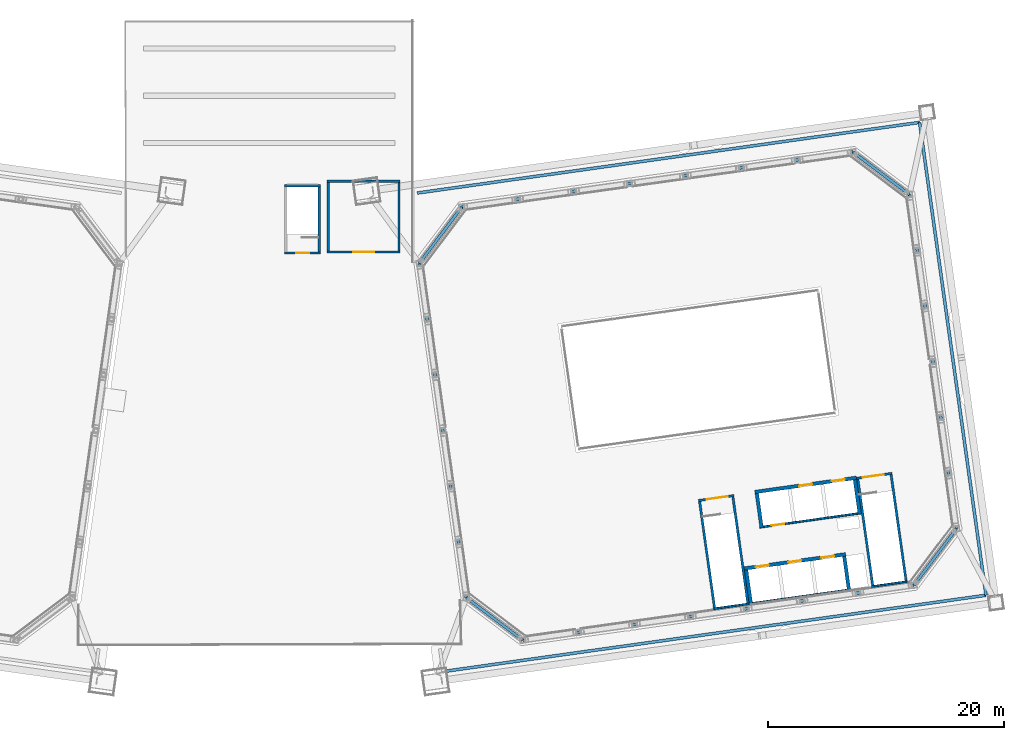
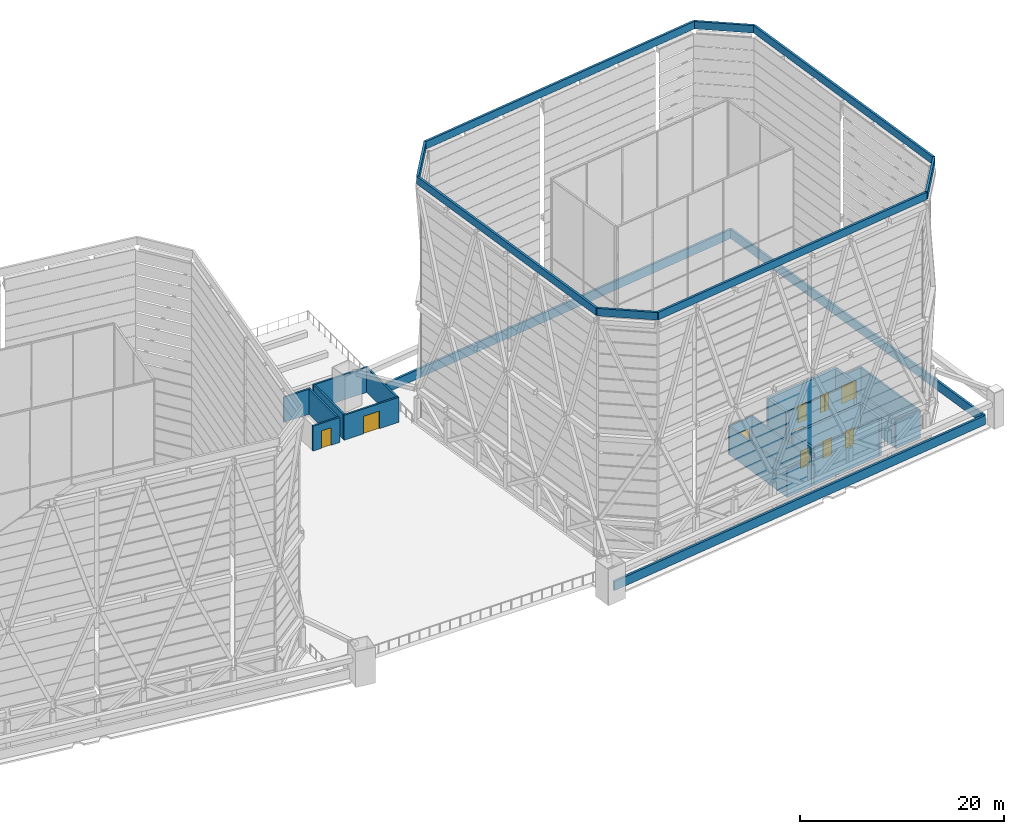
# One storey, part 21 of 45: 34 walls, 10 doors, 10 openings.
"""IFC4 building model written with IfcOpenShell, lengths in metres."""

import ifcopenshell
import ifcopenshell.guid

model = None  # the IFC model being written
_history = None  # IfcOwnerHistory: only IFC2X3 demands one
_inside = {}  # id of a spatial element -> (the spatial element, [elements in it])
_under = {}  # id of a project, library or spatial element -> (it, [spatial elements below it])
_declared = {}  # id of a project -> (the project, [libraries it declares])
_typed = {}  # id of a type object -> (the type object, [elements of that type])
_made_of = {}  # id of a material, layer set ... -> (it, [elements and type objects made of it])


def new_model(schema):
    """Start an empty IFC model of exactly this schema.

    Asked for "IFC4X3", IfcOpenShell would pick the latest addendum, in which some entities
    have other attributes; the version numbers below select the first issue.
    IFC2X3 requires an IfcOwnerHistory on every rooted entity: one is made here for all.
    """
    global model, _history
    if schema == "IFC4X3":
        model = ifcopenshell.file(schema_version=(4, 3, 0, 0))
    else:
        model = ifcopenshell.file(schema=schema)
    _inside.clear()
    _under.clear()
    _declared.clear()
    _typed.clear()
    _made_of.clear()
    _history = None
    if model.schema == "IFC2X3":
        org = make("IfcOrganization", Name="unknown")
        user = make(
            "IfcPersonAndOrganization",
            ThePerson=make("IfcPerson", FamilyName="unknown"),
            TheOrganization=org,
        )
        app = make(
            "IfcApplication",
            ApplicationDeveloper=org,
            Version="unknown",
            ApplicationFullName="unknown",
            ApplicationIdentifier="unknown",
        )
        _history = make(
            "IfcOwnerHistory",
            OwningUser=user,
            OwningApplication=app,
            ChangeAction="ADDED",
            CreationDate=0,
        )
    return model


def make(cls, **values):
    """One entity of the class cls with the attributes given. An attribute that is None is left unset."""
    return model.create_entity(
        cls, **{name: value for name, value in values.items() if value is not None}
    )


def rooted(cls, **values):
    """An entity with a GlobalId (a new one), such as an element, a storey or a relation."""
    return make(cls, GlobalId=ifcopenshell.guid.new(), OwnerHistory=_history, **values)


def si_unit(unit_type, name, prefix=None):
    """IfcSIUnit, for example si_unit("LENGTHUNIT", "METRE", prefix="MILLI")."""
    return make("IfcSIUnit", UnitType=unit_type, Prefix=prefix, Name=name)


def assignment(units):
    """IfcUnitAssignment: the units of a project."""
    return None if units is None else make("IfcUnitAssignment", Units=units)


def point(xyz):
    """IfcCartesianPoint."""
    return None if xyz is None else make("IfcCartesianPoint", Coordinates=xyz)


def direction(xyz):
    """IfcDirection."""
    return None if xyz is None else make("IfcDirection", DirectionRatios=xyz)


def frame(location, z_axis=None, x_axis=None):
    """IfcAxis2Placement3D, a coordinate frame: its origin and axes. An axis left out is left unset."""
    return make(
        "IfcAxis2Placement3D",
        Location=point(location),
        Axis=direction(z_axis),
        RefDirection=direction(x_axis),
    )


def frame_2d(location, x_axis=None):
    """IfcAxis2Placement2D, a coordinate frame in the plane: its origin and x axis."""
    return make(
        "IfcAxis2Placement2D", Location=point(location), RefDirection=direction(x_axis)
    )


def origin():
    """The frame at (0, 0, 0) with its axes left unset."""
    return frame((0.0, 0.0, 0.0))


def place(relative_to, where):
    """IfcLocalPlacement: puts the frame where relative to a parent placement (None: the world)."""
    return make(
        "IfcLocalPlacement", PlacementRelTo=relative_to, RelativePlacement=where
    )


def context(
    kind, dimensions, precision=None, world=None, true_north=None, identifier=None
):
    """IfcGeometricRepresentationContext, for example the 3D "Model" context."""
    return make(
        "IfcGeometricRepresentationContext",
        ContextIdentifier=identifier,
        ContextType=kind,
        CoordinateSpaceDimension=dimensions,
        Precision=precision,
        WorldCoordinateSystem=world,
        TrueNorth=true_north,
    )


def subcontext(parent, identifier, kind, view, scale=None):
    """IfcGeometricRepresentationSubContext, for example "Body" below "Model"."""
    return make(
        "IfcGeometricRepresentationSubContext",
        ContextIdentifier=identifier,
        ContextType=kind,
        ParentContext=parent,
        TargetScale=scale,
        TargetView=view,
    )


def project(units=None, contexts=None):
    """IfcProject with its units and contexts."""
    return rooted(
        "IfcProject",
        Name="project",
        RepresentationContexts=contexts,
        UnitsInContext=assignment(units),
    )


def spatial(cls, under=None, at=None, **own):
    """A site, building, storey or space (cls), placed at a placement, below another one or the project."""
    s = rooted(cls, ObjectPlacement=at, **own)
    if under is not None:
        _under.setdefault(under.id(), (under, []))[1].append(s)
    return s


def profile(cls, at=None, kind="AREA", **sizes):
    """A parametric profile (cls). Its sizes go by their IFC names, for example OverallWidth=200.0."""
    return make(cls, ProfileType=kind, Position=at, **sizes)


def rectangle(**sizes):
    """IfcRectangleProfileDef."""
    return profile("IfcRectangleProfileDef", **sizes)


def extrude(swept, where, along, depth):
    """IfcExtrudedAreaSolid: the profile swept, set in the frame where, extruded along a direction by depth."""
    return make(
        "IfcExtrudedAreaSolid",
        SweptArea=swept,
        Position=where,
        ExtrudedDirection=direction(along),
        Depth=depth,
    )


def shape(context_of_items, identifier, shape_type, items):
    """IfcShapeRepresentation: the items that make up one representation, for example the "Body"."""
    return make(
        "IfcShapeRepresentation",
        ContextOfItems=context_of_items,
        RepresentationIdentifier=identifier,
        RepresentationType=shape_type,
        Items=items,
    )


def material(Name=None, Category=None):
    """IfcMaterial."""
    return make("IfcMaterial", Name=Name, Category=Category)


def layer(
    of_material, thickness, ventilated=None, Name=None, Category=None, Priority=None
):
    """IfcMaterialLayer: one layer of a wall or slab, of a material (None: an air gap)."""
    return make(
        "IfcMaterialLayer",
        Material=of_material,
        LayerThickness=thickness,
        IsVentilated=ventilated,
        Name=Name,
        Category=Category,
        Priority=Priority,
    )


def layer_set(layers, Name=None):
    """IfcMaterialLayerSet."""
    return make("IfcMaterialLayerSet", MaterialLayers=layers, LayerSetName=Name)


def made_of(thing, what):
    """Note that an element or type object is made of a material, layer set ...; save() writes the relation."""
    if what is not None:
        _made_of.setdefault(what.id(), (what, []))[1].append(thing)
    return thing


def type_object(cls, material=None, **own):
    """A type object (cls), such as IfcWallType, which elements share."""
    return made_of(rooted(cls, **own), material)


def element(
    cls,
    number,
    at=None,
    inside=None,
    cuts=None,
    type_object=None,
    material=None,
    context=None,
    identifier="Body",
    shape_type=None,
    held_by="IfcProductDefinitionShape",
    body=None,
    shapes=None,
    **own,
):
    """One element of the class cls, such as IfcWall. Its Tag is "e" and its number.

    at: its placement. inside: the storey or other place that contains it. cuts: it is an
    opening in that element (IfcRelVoidsElement). A single representation is given by context,
    identifier, shape_type and body (its items); several are given by shapes. held_by: the class
    of the entity that holds the representations. save() writes the other relations.
    """
    e = rooted(cls, Tag="e%d" % number, ObjectPlacement=at, **own)
    if body is not None:
        shapes = [shape(context, identifier, shape_type, body)]
    if shapes is not None:
        e.Representation = make(held_by, Representations=shapes)
    if inside is not None:
        _inside.setdefault(inside.id(), (inside, []))[1].append(e)
    if cuts is not None:
        rooted(
            "IfcRelVoidsElement", RelatingBuildingElement=cuts, RelatedOpeningElement=e
        )
    if type_object is not None:
        _typed.setdefault(type_object.id(), (type_object, []))[1].append(e)
    return made_of(e, material)


def fill(opening, filler):
    """IfcRelFillsElement: the door or window that sits in an opening."""
    return rooted(
        "IfcRelFillsElement",
        RelatingOpeningElement=opening,
        RelatedBuildingElement=filler,
    )


def aggregate(whole, parts):
    """IfcRelAggregates: a whole, such as a stair, and the parts it consists of."""
    return rooted("IfcRelAggregates", RelatingObject=whole, RelatedObjects=parts)


def save(model, path):
    """Write the relations noted so far, then the file.

    IfcRelAggregates (storeys below a building ...), IfcRelContainedInSpatialStructure (elements
    in a storey), IfcRelDefinesByType, IfcRelAssociatesMaterial and IfcRelDeclares: one each for
    every whole, place, type object, material and project.
    """
    for whole, parts in _under.values():
        aggregate(whole, parts)
    for where, things in _inside.values():
        rooted(
            "IfcRelContainedInSpatialStructure",
            RelatedElements=things,
            RelatingStructure=where,
        )
    for kind, things in _typed.values():
        rooted("IfcRelDefinesByType", RelatedObjects=things, RelatingType=kind)
    for what, things in _made_of.values():
        rooted("IfcRelAssociatesMaterial", RelatedObjects=things, RelatingMaterial=what)
    for by, libraries in _declared.values():
        rooted("IfcRelDeclares", RelatingContext=by, RelatedDefinitions=libraries)
    model.write(path)


model = new_model("IFC4")

# Units and contexts
model_context = context("Model", 3, precision=1e-05, world=origin(), true_north=direction((0.0, 1.0)))
body_context = subcontext(model_context, "Body", "Model", "MODEL_VIEW")
ifc_project = project(units=[si_unit("LENGTHUNIT", "METRE"), si_unit("AREAUNIT", "SQUARE_METRE"), si_unit("VOLUMEUNIT", "CUBIC_METRE"), si_unit("PLANEANGLEUNIT", "RADIAN"), si_unit("MASSUNIT", "GRAM", prefix="KILO")], contexts=[model_context])

# Site, building, storey
site_placement = place(None, origin())
site = spatial("IfcSite", under=ifc_project, at=site_placement, CompositionType="ELEMENT")
building_placement = place(site_placement, origin())
building = spatial("IfcBuilding", under=site, at=building_placement, Name="Mirante Cascada Hotel Towers", CompositionType="ELEMENT")
storey_placement = place(building_placement, frame((0.0, 0.0, 269.8)))
storey = spatial("IfcBuildingStorey", under=building, at=storey_placement, Name="Roof garden", CompositionType="ELEMENT", Elevation=269.8)

# Wall
ifc_material_1 = material(Name="Concrete C50/60", Category="concrete")
ifc_layer_1 = layer(ifc_material_1, 0.15)
ifc_layer_set_1 = layer_set([ifc_layer_1], Name="Lift overrun wall 150 RC C50/60")
wall_type_1 = type_object("IfcWallType", Name="Lift overrun wall 150 RC C50/60", PredefinedType="SHEAR", material=ifc_layer_set_1)
wall_1_placement = place(storey_placement, frame((40.6992, -18.8499, 0.0), z_axis=(0.0, 0.0, 1.0), x_axis=(0.9902681, 0.1391729, 0.0)))
element("IfcWall", 1, at=wall_1_placement, inside=storey, type_object=wall_type_1, Name="Lift overrun wall T2 R1", PredefinedType="SHEAR", context=body_context, shape_type="SweptSolid", body=[
    extrude(rectangle(XDim=8.7, YDim=0.15, at=frame_2d((4.35, 0.0))), origin(), (0.0, 0.0, 1.0), 4.6),
])

# Wall, opening, door
wall_2_placement = place(storey_placement, frame((41.6049, -12.3607, 0.0), z_axis=(0.0, 0.0, 1.0), x_axis=(0.9902681, 0.1391729, 0.0)))
wall_2 = element("IfcWall", 2, at=wall_2_placement, inside=storey, type_object=wall_type_1, Name="Lift overrun wall T2 F1", PredefinedType="SHEAR", context=body_context, shape_type="SweptSolid", body=[
    extrude(rectangle(XDim=8.7, YDim=0.15, at=frame_2d((4.35, 0.0))), origin(), (0.0, 0.0, 1.0), 4.6),
])
opening_1_placement = place(wall_2_placement, frame((1.0, 0.0, 0.0)))
opening_1 = element("IfcOpeningElement", 3, at=opening_1_placement, cuts=wall_2, Name="Opening LD", PredefinedType="OPENING", context=body_context, shape_type="SweptSolid", body=[
    extrude(rectangle(XDim=1.1, YDim=2.1, at=frame_2d((0.55, 1.05))), frame((0.0, 0.075, 0.0), z_axis=(0.0, -1.0, 0.0), x_axis=(1.0, 0.0, 0.0)), (0.0, 0.0, 1.0), 0.15),
])
ifc_material_2 = material(Name="Stainless steel", Category="steel")
door_type_1 = type_object("IfcDoorType", Name="Lift landing door 1100x2100 EI 120", OperationType="DOUBLE_DOOR_SLIDING", PredefinedType="DOOR", material=ifc_material_2)
door_1_placement = place(opening_1_placement, origin())
door_1 = element("IfcDoor", 4, at=door_1_placement, inside=storey, type_object=door_type_1, Name="Lift landing door HR2-4 Roof", OperationType="DOUBLE_DOOR_SLIDING", OverallHeight=2.1, OverallWidth=1.1, PredefinedType="DOOR", context=body_context, shape_type="SweptSolid", body=[
    extrude(rectangle(XDim=0.545, YDim=2.1, at=frame_2d((0.2725, 1.05))), frame((0.0, 0.025, 0.0), z_axis=(0.0, -1.0, 0.0), x_axis=(1.0, 0.0, 0.0)), (0.0, 0.0, 1.0), 0.05),
    extrude(rectangle(XDim=0.545, YDim=2.1, at=frame_2d((0.8275, 1.05))), frame((0.0, 0.025, 0.0), z_axis=(0.0, -1.0, 0.0), x_axis=(1.0, 0.0, 0.0)), (0.0, 0.0, 1.0), 0.05),
])
fill(opening_1, door_1)

# Wall, openings, doors
ifc_material_3 = material(Name="Concrete C50/60", Category="concrete")
ifc_layer_2 = layer(ifc_material_3, 0.3)
ifc_layer_set_2 = layer_set([ifc_layer_2], Name="Lift overrun wall 300 RC C50/60")
wall_type_2 = type_object("IfcWallType", Name="Lift overrun wall 300 RC C50/60", PredefinedType="SHEAR", material=ifc_layer_set_2)
wall_3_placement = place(storey_placement, frame((40.2782, -15.8544, 0.0), z_axis=(0.0, 0.0, 1.0), x_axis=(0.9902681, 0.1391729, 0.0)))
wall_3 = element("IfcWall", 5, at=wall_3_placement, inside=storey, type_object=wall_type_2, Name="Lift overrun wall T2 R2", PredefinedType="SHEAR", context=body_context, shape_type="SweptSolid", body=[
    extrude(rectangle(XDim=8.7, YDim=0.3, at=frame_2d((4.35, 0.0))), origin(), (0.0, 0.0, 1.0), 4.6),
])
opening_2_placement = place(wall_3_placement, frame((1.0, 0.0, 0.0)))
opening_2 = element("IfcOpeningElement", 6, at=opening_2_placement, cuts=wall_3, Name="Opening LD", PredefinedType="OPENING", context=body_context, shape_type="SweptSolid", body=[
    extrude(rectangle(XDim=1.1, YDim=2.1, at=frame_2d((0.55, 1.05))), frame((0.0, 0.15, 0.0), z_axis=(0.0, -1.0, 0.0), x_axis=(1.0, 0.0, 0.0)), (0.0, 0.0, 1.0), 0.3),
])
opening_3_placement = place(wall_3_placement, frame((3.8, 0.0, 0.0)))
opening_3 = element("IfcOpeningElement", 7, at=opening_3_placement, cuts=wall_3, Name="Opening LD", PredefinedType="OPENING", context=body_context, shape_type="SweptSolid", body=[
    extrude(rectangle(XDim=1.1, YDim=2.1, at=frame_2d((0.55, 1.05))), frame((0.0, 0.15, 0.0), z_axis=(0.0, -1.0, 0.0), x_axis=(1.0, 0.0, 0.0)), (0.0, 0.0, 1.0), 0.3),
])
opening_4_placement = place(wall_3_placement, frame((6.6, 0.0, 0.0)))
opening_4 = element("IfcOpeningElement", 8, at=opening_4_placement, cuts=wall_3, Name="Opening LD", PredefinedType="OPENING", context=body_context, shape_type="SweptSolid", body=[
    extrude(rectangle(XDim=1.1, YDim=2.1, at=frame_2d((0.55, 1.05))), frame((0.0, 0.15, 0.0), z_axis=(0.0, -1.0, 0.0), x_axis=(1.0, 0.0, 0.0)), (0.0, 0.0, 1.0), 0.3),
])
door_2_placement = place(opening_2_placement, origin())
door_2 = element("IfcDoor", 9, at=door_2_placement, inside=storey, type_object=door_type_1, Name="Lift landing door HR2-1 Roof", OperationType="DOUBLE_DOOR_SLIDING", OverallHeight=2.1, OverallWidth=1.1, PredefinedType="DOOR", context=body_context, shape_type="SweptSolid", body=[
    extrude(rectangle(XDim=0.545, YDim=2.1, at=frame_2d((0.2725, 1.05))), frame((0.0, 0.025, 0.0), z_axis=(0.0, -1.0, 0.0), x_axis=(1.0, 0.0, 0.0)), (0.0, 0.0, 1.0), 0.05),
    extrude(rectangle(XDim=0.545, YDim=2.1, at=frame_2d((0.8275, 1.05))), frame((0.0, 0.025, 0.0), z_axis=(0.0, -1.0, 0.0), x_axis=(1.0, 0.0, 0.0)), (0.0, 0.0, 1.0), 0.05),
])
fill(opening_2, door_2)
door_3_placement = place(opening_3_placement, origin())
door_3 = element("IfcDoor", 10, at=door_3_placement, inside=storey, type_object=door_type_1, Name="Lift landing door HR2-2 Roof", OperationType="DOUBLE_DOOR_SLIDING", OverallHeight=2.1, OverallWidth=1.1, PredefinedType="DOOR", context=body_context, shape_type="SweptSolid", body=[
    extrude(rectangle(XDim=0.545, YDim=2.1, at=frame_2d((0.2725, 1.05))), frame((0.0, 0.025, 0.0), z_axis=(0.0, -1.0, 0.0), x_axis=(1.0, 0.0, 0.0)), (0.0, 0.0, 1.0), 0.05),
    extrude(rectangle(XDim=0.545, YDim=2.1, at=frame_2d((0.8275, 1.05))), frame((0.0, 0.025, 0.0), z_axis=(0.0, -1.0, 0.0), x_axis=(1.0, 0.0, 0.0)), (0.0, 0.0, 1.0), 0.05),
])
fill(opening_3, door_3)
door_4_placement = place(opening_4_placement, origin())
door_4 = element("IfcDoor", 11, at=door_4_placement, inside=storey, type_object=door_type_1, Name="Lift landing door HR2-3 Roof", OperationType="DOUBLE_DOOR_SLIDING", OverallHeight=2.1, OverallWidth=1.1, PredefinedType="DOOR", context=body_context, shape_type="SweptSolid", body=[
    extrude(rectangle(XDim=0.545, YDim=2.1, at=frame_2d((0.2725, 1.05))), frame((0.0, 0.025, 0.0), z_axis=(0.0, -1.0, 0.0), x_axis=(1.0, 0.0, 0.0)), (0.0, 0.0, 1.0), 0.05),
    extrude(rectangle(XDim=0.545, YDim=2.1, at=frame_2d((0.8275, 1.05))), frame((0.0, 0.025, 0.0), z_axis=(0.0, -1.0, 0.0), x_axis=(1.0, 0.0, 0.0)), (0.0, 0.0, 1.0), 0.05),
])
fill(opening_4, door_4)

# Walls
for number, where, z_axis, x_axis, name in (
    (12, (40.8582, -18.9033, 0.0), (0.0, 0.0, 1.0), (-0.1391858, 0.9902663, 0.0), "Lift overrun wall T2 R3"),
    (13, (49.1764, -17.7343, 0.0), (0.0, 0.0, 1.0), (-0.1391525, 0.990271, 0.0), "Lift overrun wall T2 R4"),
):
    element("IfcWall", number, at=place(storey_placement, frame(where, z_axis=z_axis, x_axis=x_axis)), inside=storey, type_object=wall_type_2, Name=name, PredefinedType="SHEAR", context=body_context, shape_type="SweptSolid", body=[
        extrude(rectangle(XDim=2.95, YDim=0.3, at=frame_2d((1.475, 0.0))), origin(), (0.0, 0.0, 1.0), 4.6),
    ])

# Wall, openings, doors
wall_4_placement = place(storey_placement, frame((41.1839, -9.3652, 0.0), z_axis=(0.0, 0.0, 1.0), x_axis=(0.9902681, 0.1391729, 0.0)))
wall_4 = element("IfcWall", 14, at=wall_4_placement, inside=storey, type_object=wall_type_2, Name="Lift overrun wall T2 F2", PredefinedType="SHEAR", context=body_context, shape_type="SweptSolid", body=[
    extrude(rectangle(XDim=8.7, YDim=0.3, at=frame_2d((4.35, 0.0))), origin(), (0.0, 0.0, 1.0), 4.6),
])
opening_5_placement = place(wall_4_placement, frame((3.8, 0.0, 0.0)))
opening_5 = element("IfcOpeningElement", 15, at=opening_5_placement, cuts=wall_4, Name="Opening LD", PredefinedType="OPENING", context=body_context, shape_type="SweptSolid", body=[
    extrude(rectangle(XDim=1.1, YDim=2.1, at=frame_2d((0.55, 1.05))), frame((0.0, 0.15, 0.0), z_axis=(0.0, -1.0, 0.0), x_axis=(1.0, 0.0, 0.0)), (0.0, 0.0, 1.0), 0.3),
])
opening_6_placement = place(wall_4_placement, frame((6.6, 0.0, 0.0)))
opening_6 = element("IfcOpeningElement", 16, at=opening_6_placement, cuts=wall_4, Name="Opening LD", PredefinedType="OPENING", context=body_context, shape_type="SweptSolid", body=[
    extrude(rectangle(XDim=1.1, YDim=2.1, at=frame_2d((0.55, 1.05))), frame((0.0, 0.15, 0.0), z_axis=(0.0, -1.0, 0.0), x_axis=(1.0, 0.0, 0.0)), (0.0, 0.0, 1.0), 0.3),
])
door_5_placement = place(opening_5_placement, origin())
door_5 = element("IfcDoor", 17, at=door_5_placement, inside=storey, type_object=door_type_1, Name="Lift landing door FF3 Roof", OperationType="DOUBLE_DOOR_SLIDING", OverallHeight=2.1, OverallWidth=1.1, PredefinedType="DOOR", context=body_context, shape_type="SweptSolid", body=[
    extrude(rectangle(XDim=0.545, YDim=2.1, at=frame_2d((0.2725, 1.05))), frame((0.0, 0.025, 0.0), z_axis=(0.0, -1.0, 0.0), x_axis=(1.0, 0.0, 0.0)), (0.0, 0.0, 1.0), 0.05),
    extrude(rectangle(XDim=0.545, YDim=2.1, at=frame_2d((0.8275, 1.05))), frame((0.0, 0.025, 0.0), z_axis=(0.0, -1.0, 0.0), x_axis=(1.0, 0.0, 0.0)), (0.0, 0.0, 1.0), 0.05),
])
fill(opening_5, door_5)
door_6_placement = place(opening_6_placement, origin())
door_6 = element("IfcDoor", 18, at=door_6_placement, inside=storey, type_object=door_type_1, Name="Lift landing door FF4 Roof", OperationType="DOUBLE_DOOR_SLIDING", OverallHeight=2.1, OverallWidth=1.1, PredefinedType="DOOR", context=body_context, shape_type="SweptSolid", body=[
    extrude(rectangle(XDim=0.545, YDim=2.1, at=frame_2d((0.2725, 1.05))), frame((0.0, 0.025, 0.0), z_axis=(0.0, -1.0, 0.0), x_axis=(1.0, 0.0, 0.0)), (0.0, 0.0, 1.0), 0.05),
    extrude(rectangle(XDim=0.545, YDim=2.1, at=frame_2d((0.8275, 1.05))), frame((0.0, 0.025, 0.0), z_axis=(0.0, -1.0, 0.0), x_axis=(1.0, 0.0, 0.0)), (0.0, 0.0, 1.0), 0.05),
])
fill(opening_6, door_6)

# Walls
for number, where, z_axis, x_axis, name in (
    (19, (41.7639, -12.4141, 0.0), (0.0, 0.0, 1.0), (-0.1391858, 0.9902663, 0.0), "Lift overrun wall T2 F3"),
    (20, (50.0821, -11.2451, 0.0), (0.0, 0.0, 1.0), (-0.1391858, 0.9902663, 0.0), "Lift overrun wall T2 F4"),
):
    element("IfcWall", number, at=place(storey_placement, frame(where, z_axis=z_axis, x_axis=x_axis)), inside=storey, type_object=wall_type_2, Name=name, PredefinedType="SHEAR", context=body_context, shape_type="SweptSolid", body=[
        extrude(rectangle(XDim=2.95, YDim=0.3, at=frame_2d((1.475, 0.0))), origin(), (0.0, 0.0, 1.0), 4.6),
    ])

# Wall, opening, door
ifc_material_4 = material(Name="Precast concrete C40/50", Category="concrete")
ifc_layer_3 = layer(ifc_material_4, 0.2)
ifc_layer_set_3 = layer_set([ifc_layer_3], Name="Precast concrete C40/50 head-house wall 200 EI 120")
wall_type_3 = type_object("IfcWallType", Name="Precast concrete C40/50 head-house wall 200 EI 120", PredefinedType="STANDARD", material=ifc_layer_set_3)
wall_5_placement = place(storey_placement, frame((1.3, 10.91, 0.0), z_axis=(0.0, 0.0, 1.0), x_axis=(1.0, 0.0, 0.0)))
wall_5 = element("IfcWall", 21, at=wall_5_placement, inside=storey, type_object=wall_type_3, Name="Stair head-house wall south", PredefinedType="STANDARD", context=body_context, shape_type="SweptSolid", body=[
    extrude(rectangle(XDim=3.05, YDim=0.2, at=frame_2d((1.525, 0.0))), origin(), (0.0, 0.0, 1.0), 3.0),
])
opening_7_placement = place(wall_5_placement, frame((0.975, 0.0, 0.0)))
opening_7 = element("IfcOpeningElement", 22, at=opening_7_placement, cuts=wall_5, Name="Opening DD-ROOF-01", PredefinedType="OPENING", context=body_context, shape_type="SweptSolid", body=[
    extrude(rectangle(XDim=1.1, YDim=2.1, at=frame_2d((0.55, 1.05))), frame((0.0, 0.1, 0.0), z_axis=(0.0, -1.0, 0.0), x_axis=(1.0, 0.0, 0.0)), (0.0, 0.0, 1.0), 0.2),
])
ifc_material_5 = material(Name="Steel fire door leaf with glazed vision panel", Category="steel")
door_type_2 = type_object("IfcDoorType", Name="Stair door 1100x2100 FD60", OperationType="SINGLE_SWING_LEFT", PredefinedType="DOOR", material=ifc_material_5)
door_7_placement = place(opening_7_placement, origin())
door_7 = element("IfcDoor", 23, at=door_7_placement, inside=storey, type_object=door_type_2, Name="Roof garden stair door DD-ROOF-01", OperationType="SINGLE_SWING_LEFT", OverallHeight=2.1, OverallWidth=1.1, PredefinedType="DOOR", context=body_context, shape_type="SweptSolid", body=[
    extrude(rectangle(XDim=1.1, YDim=2.1, at=frame_2d((0.55, 1.05))), frame((0.0, 0.025, 0.0), z_axis=(0.0, -1.0, 0.0), x_axis=(1.0, 0.0, 0.0)), (0.0, 0.0, 1.0), 0.05),
])
fill(opening_7, door_7)

# Walls
wall_6_placement = place(storey_placement, frame((4.25, 11.01, 0.0), z_axis=(0.0, 0.0, 1.0), x_axis=(0.0, 1.0, 0.0)))
element("IfcWall", 24, at=wall_6_placement, inside=storey, type_object=wall_type_3, Name="Stair head-house wall east", PredefinedType="STANDARD", context=body_context, shape_type="SweptSolid", body=[
    extrude(rectangle(XDim=5.5, YDim=0.2, at=frame_2d((2.75, 0.0))), origin(), (0.0, 0.0, 1.0), 3.0),
])
wall_7_placement = place(storey_placement, frame((4.35, 16.61, 0.0), z_axis=(0.0, 0.0, 1.0), x_axis=(-1.0, 0.0, 0.0)))
element("IfcWall", 25, at=wall_7_placement, inside=storey, type_object=wall_type_3, Name="Stair head-house wall north", PredefinedType="STANDARD", context=body_context, shape_type="SweptSolid", body=[
    extrude(rectangle(XDim=3.05, YDim=0.2, at=frame_2d((1.525, 0.0))), origin(), (0.0, 0.0, 1.0), 3.0),
])

# Wall, opening, door
ifc_material_6 = material(Name="Precast concrete C40/50", Category="concrete")
ifc_layer_4 = layer(ifc_material_6, 0.2)
ifc_layer_set_4 = layer_set([ifc_layer_4], Name="Precast concrete C40/50 pavilion wall 200")
wall_type_4 = type_object("IfcWallType", Name="Precast concrete C40/50 pavilion wall 200", PredefinedType="STANDARD", material=ifc_layer_set_4)
wall_8_placement = place(storey_placement, frame((4.9, 11.0, 0.0), z_axis=(0.0, 0.0, 1.0), x_axis=(1.0, 0.0, 0.0)))
wall_8 = element("IfcWall", 26, at=wall_8_placement, inside=storey, type_object=wall_type_4, Name="Pavilion wall south", PredefinedType="STANDARD", context=body_context, shape_type="SweptSolid", body=[
    extrude(rectangle(XDim=6.2, YDim=0.2, at=frame_2d((3.1, 0.0))), origin(), (0.0, 0.0, 1.0), 3.0),
])
opening_8_placement = place(wall_8_placement, frame((2.2, 0.0, 0.0)))
opening_8 = element("IfcOpeningElement", 27, at=opening_8_placement, cuts=wall_8, Name="Opening DP-RG-01", PredefinedType="OPENING", context=body_context, shape_type="SweptSolid", body=[
    extrude(rectangle(XDim=1.8, YDim=2.1, at=frame_2d((0.9, 1.05))), frame((0.0, 0.1, 0.0), z_axis=(0.0, -1.0, 0.0), x_axis=(1.0, 0.0, 0.0)), (0.0, 0.0, 1.0), 0.2),
])
ifc_material_7 = material(Name="Aluminium framed glazed double door", Category="aluminium")
door_type_3 = type_object("IfcDoorType", Name="Pavilion door 1800x2100", OperationType="DOUBLE_DOOR_SINGLE_SWING", PredefinedType="DOOR", material=ifc_material_7)
door_8_placement = place(opening_8_placement, origin())
door_8 = element("IfcDoor", 28, at=door_8_placement, inside=storey, type_object=door_type_3, Name="Roof garden pavilion door DP-RG-01", OperationType="DOUBLE_DOOR_SINGLE_SWING", OverallHeight=2.1, OverallWidth=1.8, PredefinedType="DOOR", context=body_context, shape_type="SweptSolid", body=[
    extrude(rectangle(XDim=0.895, YDim=2.1, at=frame_2d((0.4475, 1.05))), frame((0.0, 0.025, 0.0), z_axis=(0.0, -1.0, 0.0), x_axis=(1.0, 0.0, 0.0)), (0.0, 0.0, 1.0), 0.05),
    extrude(rectangle(XDim=0.895, YDim=2.1, at=frame_2d((1.3525, 1.05))), frame((0.0, 0.025, 0.0), z_axis=(0.0, -1.0, 0.0), x_axis=(1.0, 0.0, 0.0)), (0.0, 0.0, 1.0), 0.05),
])
fill(opening_8, door_8)

# Walls
wall_9_placement = place(storey_placement, frame((11.0, 11.1, 0.0), z_axis=(0.0, 0.0, 1.0), x_axis=(0.0, 1.0, 0.0)))
element("IfcWall", 29, at=wall_9_placement, inside=storey, type_object=wall_type_4, Name="Pavilion wall east", PredefinedType="STANDARD", context=body_context, shape_type="SweptSolid", body=[
    extrude(rectangle(XDim=5.8, YDim=0.2, at=frame_2d((2.9, 0.0))), origin(), (0.0, 0.0, 1.0), 3.0),
])
wall_10_placement = place(storey_placement, frame((11.1, 17.0, 0.0), z_axis=(0.0, 0.0, 1.0), x_axis=(-1.0, 0.0, 0.0)))
element("IfcWall", 30, at=wall_10_placement, inside=storey, type_object=wall_type_4, Name="Pavilion wall north", PredefinedType="STANDARD", context=body_context, shape_type="SweptSolid", body=[
    extrude(rectangle(XDim=6.2, YDim=0.2, at=frame_2d((3.1, 0.0))), origin(), (0.0, 0.0, 1.0), 3.0),
])
wall_11_placement = place(storey_placement, frame((5.0, 16.9, 0.0), z_axis=(0.0, 0.0, 1.0), x_axis=(0.0, -1.0, 0.0)))
element("IfcWall", 31, at=wall_11_placement, inside=storey, type_object=wall_type_4, Name="Pavilion wall west", PredefinedType="STANDARD", context=body_context, shape_type="SweptSolid", body=[
    extrude(rectangle(XDim=5.8, YDim=0.2, at=frame_2d((2.9, 0.0))), origin(), (0.0, 0.0, 1.0), 3.0),
])
ifc_material_8 = material(Name="Precast concrete C40/50", Category="concrete")
ifc_layer_5 = layer(ifc_material_8, 0.25)
ifc_layer_set_5 = layer_set([ifc_layer_5], Name="Roof parapet wall 250 concrete C40/50")
wall_type_5 = type_object("IfcWallType", Name="Roof parapet wall 250 concrete C40/50", PredefinedType="PARAPET", material=ifc_layer_set_5)
wall_12_placement = place(storey_placement, frame((12.5514, 15.9968, 0.0), z_axis=(0.0, 0.0, 1.0), x_axis=(0.9902681, 0.1391731, 0.0)))
element("IfcWall", 32, at=wall_12_placement, inside=storey, type_object=wall_type_5, Name="Crown edge parapet T2 1", PredefinedType="PARAPET", context=body_context, shape_type="SweptSolid", body=[
    extrude(rectangle(XDim=43.0241, YDim=0.25, at=frame_2d((21.512, 0.0))), origin(), (0.0, 0.0, 1.0), 1.1),
])
wall_13_placement = place(storey_placement, frame((55.1568, 21.9846, 0.0), z_axis=(0.0, 0.0, 1.0), x_axis=(0.1391727, -0.9902681, 0.0)))
element("IfcWall", 33, at=wall_13_placement, inside=storey, type_object=wall_type_5, Name="Crown edge parapet T2 2", PredefinedType="PARAPET", context=body_context, shape_type="SweptSolid", body=[
    extrude(rectangle(XDim=40.5, YDim=0.25, at=frame_2d((20.25, 0.0))), origin(), (0.0, 0.0, 1.0), 1.1),
])
wall_14_placement = place(storey_placement, frame((60.7933, -18.1213, 0.0), z_axis=(0.0, 0.0, 1.0), x_axis=(-0.9902682, -0.1391719, 0.0)))
element("IfcWall", 34, at=wall_14_placement, inside=storey, type_object=wall_type_5, Name="Crown edge parapet T2 3", PredefinedType="PARAPET", context=body_context, shape_type="SweptSolid", body=[
    extrude(rectangle(XDim=46.25, YDim=0.25, at=frame_2d((23.125, 0.0))), origin(), (0.0, 0.0, 1.0), 1.1),
])
wall_15_placement = place(storey_placement, frame((21.4918, -21.928, 28.6), z_axis=(0.0, 0.0, 1.0), x_axis=(-0.7986379, 0.6018118, 0.0)))
element("IfcWall", 35, at=wall_15_placement, inside=storey, type_object=wall_type_5, Name="Crown roof parapet T2 1", PredefinedType="PARAPET", context=body_context, shape_type="SweptSolid", body=[
    extrude(rectangle(XDim=5.9911, YDim=0.25, at=frame_2d((2.9956, 0.0))), origin(), (0.0, 0.0, 1.0), 0.9),
])
wall_16_placement = place(storey_placement, frame((16.7071, -18.3225, 28.6), z_axis=(0.0, 0.0, 1.0), x_axis=(-0.1391753, 0.9902678, 0.0)))
element("IfcWall", 36, at=wall_16_placement, inside=storey, type_object=wall_type_5, Name="Crown roof parapet T2 2", PredefinedType="PARAPET", context=body_context, shape_type="SweptSolid", body=[
    extrude(rectangle(XDim=28.6272, YDim=0.25, at=frame_2d((14.3136, 0.0))), origin(), (0.0, 0.0, 1.0), 0.9),
])
wall_17_placement = place(storey_placement, frame((12.7229, 10.0261, 28.6), z_axis=(0.0, 0.0, 1.0), x_axis=(0.6018144, 0.7986359, 0.0)))
element("IfcWall", 37, at=wall_17_placement, inside=storey, type_object=wall_type_5, Name="Crown roof parapet T2 3", PredefinedType="PARAPET", context=body_context, shape_type="SweptSolid", body=[
    extrude(rectangle(XDim=5.9912, YDim=0.25, at=frame_2d((2.9956, 0.0))), origin(), (0.0, 0.0, 1.0), 0.9),
])
wall_18_placement = place(storey_placement, frame((16.3285, 14.8109, 28.6), z_axis=(0.0, 0.0, 1.0), x_axis=(0.9902682, 0.1391722, 0.0)))
element("IfcWall", 38, at=wall_18_placement, inside=storey, type_object=wall_type_5, Name="Crown roof parapet T2 4", PredefinedType="PARAPET", context=body_context, shape_type="SweptSolid", body=[
    extrude(rectangle(XDim=33.5124, YDim=0.25, at=frame_2d((16.7562, 0.0))), origin(), (0.0, 0.0, 1.0), 0.9),
])
wall_19_placement = place(storey_placement, frame((49.5148, 19.4749, 28.6), z_axis=(0.0, 0.0, 1.0), x_axis=(0.7986379, -0.6018118, 0.0)))
element("IfcWall", 39, at=wall_19_placement, inside=storey, type_object=wall_type_5, Name="Crown roof parapet T2 5", PredefinedType="PARAPET", context=body_context, shape_type="SweptSolid", body=[
    extrude(rectangle(XDim=5.9911, YDim=0.25, at=frame_2d((2.9956, 0.0))), origin(), (0.0, 0.0, 1.0), 0.9),
])
wall_20_placement = place(storey_placement, frame((54.2995, 15.8694, 28.6), z_axis=(0.0, 0.0, 1.0), x_axis=(0.1391748, -0.9902678, 0.0)))
element("IfcWall", 40, at=wall_20_placement, inside=storey, type_object=wall_type_5, Name="Crown roof parapet T2 6", PredefinedType="PARAPET", context=body_context, shape_type="SweptSolid", body=[
    extrude(rectangle(XDim=28.6273, YDim=0.25, at=frame_2d((14.3136, 0.0))), origin(), (0.0, 0.0, 1.0), 0.9),
])
wall_21_placement = place(storey_placement, frame((58.2837, -12.4793, 28.6), z_axis=(0.0, 0.0, 1.0), x_axis=(-0.6018225, -0.7986299, 0.0)))
element("IfcWall", 41, at=wall_21_placement, inside=storey, type_object=wall_type_5, Name="Crown roof parapet T2 7", PredefinedType="PARAPET", context=body_context, shape_type="SweptSolid", body=[
    extrude(rectangle(XDim=5.9911, YDim=0.25, at=frame_2d((2.9956, 0.0))), origin(), (0.0, 0.0, 1.0), 0.9),
])
wall_22_placement = place(storey_placement, frame((54.6781, -17.264, 28.6), z_axis=(0.0, 0.0, 1.0), x_axis=(-0.9902682, -0.1391722, 0.0)))
element("IfcWall", 42, at=wall_22_placement, inside=storey, type_object=wall_type_5, Name="Crown roof parapet T2 8", PredefinedType="PARAPET", context=body_context, shape_type="SweptSolid", body=[
    extrude(rectangle(XDim=33.5124, YDim=0.25, at=frame_2d((16.7562, 0.0))), origin(), (0.0, 0.0, 1.0), 0.9),
])
ifc_material_9 = material(Name="Concrete C50/60", Category="concrete")
ifc_layer_6 = layer(ifc_material_9, 0.15)
ifc_layer_set_6 = layer_set([ifc_layer_6], Name="Stair head-house wall 150 RC C50/60")
wall_type_6 = type_object("IfcWallType", Name="Stair head-house wall 150 RC C50/60", PredefinedType="SHEAR", material=ifc_layer_set_6)
for number, where, z_axis, x_axis, name in (
    (43, (37.6789, -19.2744, 0.0), (0.0, 0.0, 1.0), (0.990267, 0.139181, 0.0), "Stair head-house wall T2 AR"),
    (44, (51.097, -17.3886, 0.0), (0.0, 0.0, 1.0), (0.990267, 0.139181, 0.0), "Stair head-house wall T2 BR"),
):
    element("IfcWall", number, at=place(storey_placement, frame(where, z_axis=z_axis, x_axis=x_axis)), inside=storey, type_object=wall_type_6, Name=name, PredefinedType="SHEAR", context=body_context, shape_type="SweptSolid", body=[
        extrude(rectangle(XDim=3.05, YDim=0.15, at=frame_2d((1.525, 0.0))), origin(), (0.0, 0.0, 1.0), 3.4),
    ])

# Wall, opening, door
ifc_material_10 = material(Name="Concrete C50/60", Category="concrete")
ifc_layer_7 = layer(ifc_material_10, 0.2)
ifc_layer_set_7 = layer_set([ifc_layer_7], Name="Stair head-house wall 200 RC C50/60")
wall_type_7 = type_object("IfcWallType", Name="Stair head-house wall 200 RC C50/60", PredefinedType="SHEAR", material=ifc_layer_set_7)
wall_23_placement = place(storey_placement, frame((36.388, -10.0897, 0.0), z_axis=(0.0, 0.0, 1.0), x_axis=(0.9902676, 0.1391765, 0.0)))
wall_23 = element("IfcWall", 45, at=wall_23_placement, inside=storey, type_object=wall_type_7, Name="Stair head-house wall T2 AF", PredefinedType="SHEAR", context=body_context, shape_type="SweptSolid", body=[
    extrude(rectangle(XDim=3.0501, YDim=0.2, at=frame_2d((1.525, 0.0))), origin(), (0.0, 0.0, 1.0), 3.4),
])
opening_9_placement = place(wall_23_placement, frame((0.725, 0.0, 0.0)))
opening_9 = element("IfcOpeningElement", 46, at=opening_9_placement, cuts=wall_23, Name="Opening D2-RF-A", PredefinedType="OPENING", context=body_context, shape_type="SweptSolid", body=[
    extrude(rectangle(XDim=1.8, YDim=2.1, at=frame_2d((0.9, 1.05))), frame((0.0, 0.1, 0.0), z_axis=(0.0, -1.0, 0.0), x_axis=(1.0, 0.0, 0.0)), (0.0, 0.0, 1.0), 0.2),
])
ifc_material_11 = material(Name="Hollow metal fire door leaf")
door_type_4 = type_object("IfcDoorType", Name="Double fire door 1800x2100 FD60", OperationType="DOUBLE_DOOR_SINGLE_SWING", PredefinedType="DOOR", material=ifc_material_11)
door_9_placement = place(opening_9_placement, origin())
door_9 = element("IfcDoor", 47, at=door_9_placement, inside=storey, type_object=door_type_4, Name="Stair door T2 Roof A", OperationType="DOUBLE_DOOR_SINGLE_SWING", OverallHeight=2.1, OverallWidth=1.8, PredefinedType="DOOR", context=body_context, shape_type="SweptSolid", body=[
    extrude(rectangle(XDim=0.895, YDim=2.1, at=frame_2d((0.4475, 1.05))), frame((0.0, 0.025, 0.0), z_axis=(0.0, -1.0, 0.0), x_axis=(1.0, 0.0, 0.0)), (0.0, 0.0, 1.0), 0.05),
    extrude(rectangle(XDim=0.895, YDim=2.1, at=frame_2d((1.3525, 1.05))), frame((0.0, 0.025, 0.0), z_axis=(0.0, -1.0, 0.0), x_axis=(1.0, 0.0, 0.0)), (0.0, 0.0, 1.0), 0.05),
])
fill(opening_9, door_9)

# Walls
wall_24_placement = place(storey_placement, frame((37.7883, -19.3348, 0.0), z_axis=(0.0, 0.0, 1.0), x_axis=(-0.1391674, 0.9902689, 0.0)))
element("IfcWall", 48, at=wall_24_placement, inside=storey, type_object=wall_type_7, Name="Stair head-house wall T2 AW", PredefinedType="SHEAR", context=body_context, shape_type="SweptSolid", body=[
    extrude(rectangle(XDim=9.25, YDim=0.2, at=frame_2d((4.625, 0.0))), origin(), (0.0, 0.0, 1.0), 3.4),
])
wall_25_placement = place(storey_placement, frame((40.6106, -18.9381, 0.0), z_axis=(0.0, 0.0, 1.0), x_axis=(-0.1391795, 0.9902672, 0.0)))
element("IfcWall", 49, at=wall_25_placement, inside=storey, type_object=wall_type_7, Name="Stair head-house wall T2 AE", PredefinedType="SHEAR", context=body_context, shape_type="SweptSolid", body=[
    extrude(rectangle(XDim=9.2499, YDim=0.2, at=frame_2d((4.625, 0.0))), origin(), (0.0, 0.0, 1.0), 3.4),
])

# Wall, opening, door
wall_26_placement = place(storey_placement, frame((49.8062, -8.2039, 0.0), z_axis=(0.0, 0.0, 1.0), x_axis=(0.990267, 0.139181, 0.0)))
wall_26 = element("IfcWall", 50, at=wall_26_placement, inside=storey, type_object=wall_type_7, Name="Stair head-house wall T2 BF", PredefinedType="SHEAR", context=body_context, shape_type="SweptSolid", body=[
    extrude(rectangle(XDim=3.05, YDim=0.2, at=frame_2d((1.525, 0.0))), origin(), (0.0, 0.0, 1.0), 3.4),
])
opening_10_placement = place(wall_26_placement, frame((0.525, 0.0, 0.0)))
opening_10 = element("IfcOpeningElement", 51, at=opening_10_placement, cuts=wall_26, Name="Opening D2-RF-B", PredefinedType="OPENING", context=body_context, shape_type="SweptSolid", body=[
    extrude(rectangle(XDim=1.8, YDim=2.1, at=frame_2d((0.9, 1.05))), frame((0.0, 0.1, 0.0), z_axis=(0.0, -1.0, 0.0), x_axis=(1.0, 0.0, 0.0)), (0.0, 0.0, 1.0), 0.2),
])
door_10_placement = place(opening_10_placement, origin())
door_10 = element("IfcDoor", 52, at=door_10_placement, inside=storey, type_object=door_type_4, Name="Stair door T2 Roof B", OperationType="DOUBLE_DOOR_SINGLE_SWING", OverallHeight=2.1, OverallWidth=1.8, PredefinedType="DOOR", context=body_context, shape_type="SweptSolid", body=[
    extrude(rectangle(XDim=0.895, YDim=2.1, at=frame_2d((0.4475, 1.05))), frame((0.0, 0.025, 0.0), z_axis=(0.0, -1.0, 0.0), x_axis=(1.0, 0.0, 0.0)), (0.0, 0.0, 1.0), 0.05),
    extrude(rectangle(XDim=0.895, YDim=2.1, at=frame_2d((1.3525, 1.05))), frame((0.0, 0.025, 0.0), z_axis=(0.0, -1.0, 0.0), x_axis=(1.0, 0.0, 0.0)), (0.0, 0.0, 1.0), 0.05),
])
fill(opening_10, door_10)

# Walls
wall_27_placement = place(storey_placement, frame((51.2065, -17.449, 0.0), z_axis=(0.0, 0.0, 1.0), x_axis=(-0.139178, 0.9902674, 0.0)))
element("IfcWall", 53, at=wall_27_placement, inside=storey, type_object=wall_type_7, Name="Stair head-house wall T2 BW", PredefinedType="SHEAR", context=body_context, shape_type="SweptSolid", body=[
    extrude(rectangle(XDim=9.25, YDim=0.2, at=frame_2d((4.625, 0.0))), origin(), (0.0, 0.0, 1.0), 3.4),
])
wall_28_placement = place(storey_placement, frame((54.0287, -17.0523, 0.0), z_axis=(0.0, 0.0, 1.0), x_axis=(-0.1391689, 0.9902687, 0.0)))
element("IfcWall", 54, at=wall_28_placement, inside=storey, type_object=wall_type_7, Name="Stair head-house wall T2 BE", PredefinedType="SHEAR", context=body_context, shape_type="SweptSolid", body=[
    extrude(rectangle(XDim=9.2499, YDim=0.2, at=frame_2d((4.625, 0.0))), origin(), (0.0, 0.0, 1.0), 3.4),
])

save(model, "model.ifc")
